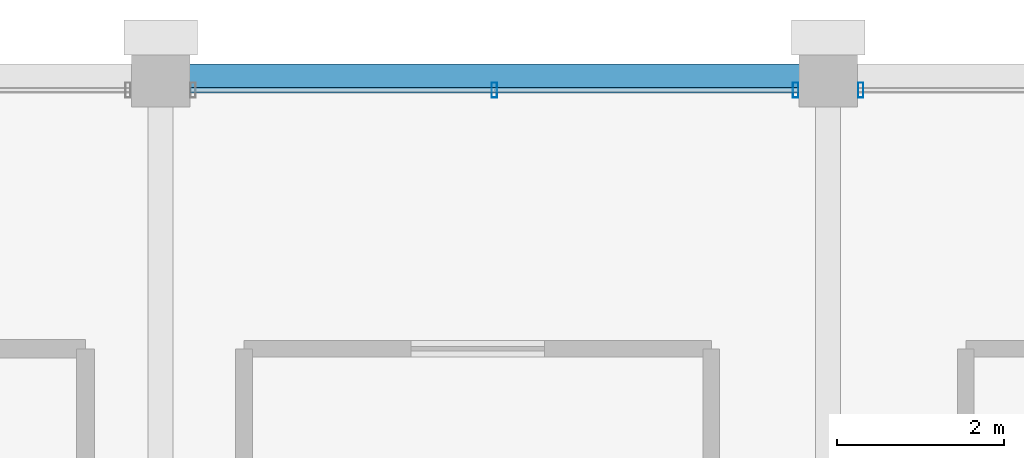
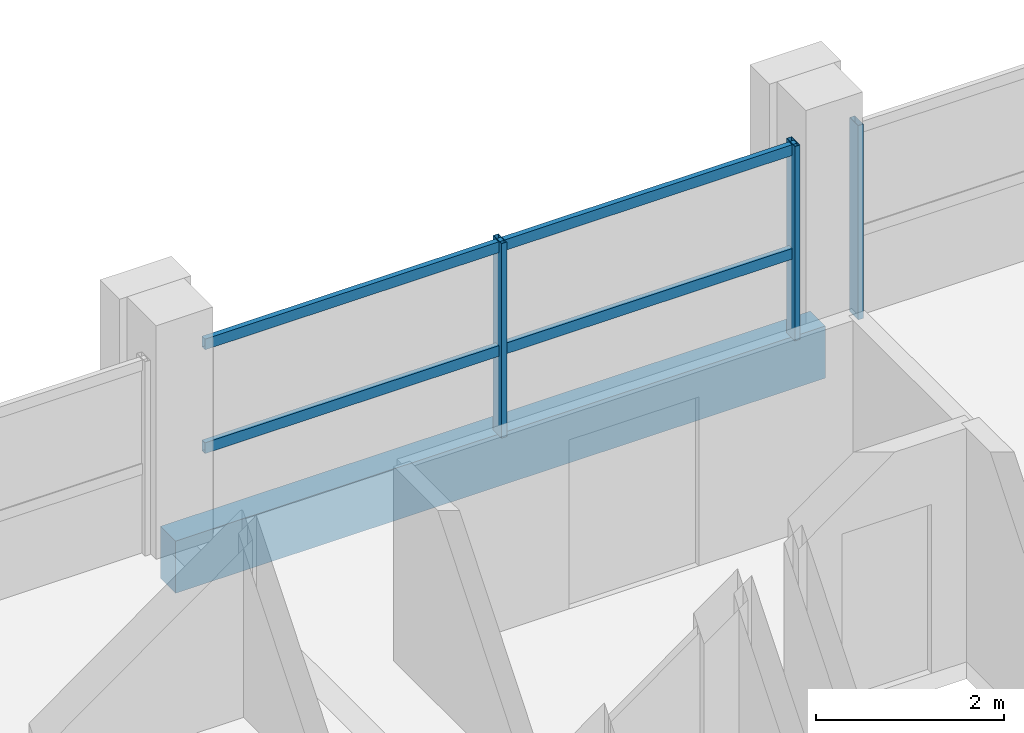
# One storey, part 16 of 24: 5 members, 1 beam, 2 elements without a shape of their own.
"""IFC4 building model written with IfcOpenShell, lengths in metres."""

from ifc_helpers import new_model, si_unit, direction, frame, origin, origin_2d, place, context, subcontext, project, spatial, rectangle, hollow_rectangle, extrude, material, material_profile, profile_set, type_object, element, aggregate, save


model = new_model("IFC4")

# Units and contexts
model_context = context("Model", 3, precision=1e-05, world=origin(), true_north=direction((0.0, 1.0)))
body_context = subcontext(model_context, "Body", "Model", "MODEL_VIEW")
ifc_project = project(units=[si_unit("LENGTHUNIT", "METRE"), si_unit("AREAUNIT", "SQUARE_METRE"), si_unit("VOLUMEUNIT", "CUBIC_METRE"), si_unit("PLANEANGLEUNIT", "RADIAN"), si_unit("MASSUNIT", "GRAM", prefix="KILO")], contexts=[model_context])

# Site, building, storey
site_placement = place(None, origin())
site = spatial("IfcSite", under=ifc_project, at=site_placement, CompositionType="ELEMENT")
building_placement = place(site_placement, origin())
building = spatial("IfcBuilding", under=site, at=building_placement, Name="Akrevak Sports Hall", CompositionType="ELEMENT")
storey_placement = place(building_placement, frame((0.0, 0.0, 56.800048828125)))
storey = spatial("IfcBuildingStorey", under=building, at=storey_placement, Name="L14", CompositionType="ELEMENT", Elevation=56.800048828125)

# Curtain wall, member
ifc_material_1 = material(Name="Anodized Bronze Aluminium & Low-E Glass", Category="aluminium")
curtain_wall_type = type_object("IfcCurtainWallType", Name="ARC-CW-TWR-64x30", PredefinedType="NOTDEFINED", material=ifc_material_1)
curtain_wall_1_placement = place(storey_placement, origin())
curtain_wall_1 = element("IfcCurtainWall", 1, at=curtain_wall_1_placement, inside=storey, type_object=curtain_wall_type, Name="Curtain Wall CW-L14-N20", PredefinedType="NOTDEFINED")
ifc_material_2 = material(Name="Anodized Bronze Aluminium", Category="aluminium")
ifc_material_profile_1 = material_profile(ifc_material_2, hollow_rectangle(XDim=0.06494140625, YDim=0.179931640625, WallThickness=0.00390625, at=origin_2d()), Name="CWM 65x180", Category="aluminium")
ifc_profile_set_1 = profile_set([ifc_material_profile_1], Name="Anodized Bronze Aluminium")
member_type_1 = type_object("IfcMemberType", Name="ARC-CWM-65x140", PredefinedType="MULLION", material=ifc_profile_set_1)
member_1_placement = place(storey_placement, frame((76.389892578125, 69.449951171875, 0.0), z_axis=(0.0, 0.0, 1.0), x_axis=(-1.0, 0.0, 0.0)))
member_1 = element("IfcMember", 2, at=member_1_placement, type_object=member_type_1, Name="Curtain Wall Mullion CW-L14-N20-M3", PredefinedType="MULLION", context=body_context, shape_type="SweptSolid", body=[
    extrude(hollow_rectangle(XDim=0.06494140625, YDim=0.179931640625, WallThickness=0.00390625, at=origin_2d()), origin(), (0.0, 0.0, 1.0), 2.530029296875),
])
aggregate(curtain_wall_1, [member_1])

# Curtain wall, members
curtain_wall_2_placement = place(storey_placement, origin())
curtain_wall_2 = element("IfcCurtainWall", 3, at=curtain_wall_2_placement, inside=storey, type_object=curtain_wall_type, Name="Curtain Wall CW-L14-N21", PredefinedType="NOTDEFINED")
member_2_placement = place(storey_placement, frame((75.610107421875, 69.449951171875, 0.0), z_axis=(0.0, 0.0, 1.0), x_axis=(-1.0, 0.0, 0.0)))
member_2 = element("IfcMember", 4, at=member_2_placement, type_object=member_type_1, Name="Curtain Wall Mullion CW-L14-N21-M1", PredefinedType="MULLION", context=body_context, shape_type="SweptSolid", body=[
    extrude(hollow_rectangle(XDim=0.06494140625, YDim=0.179931640625, WallThickness=0.00390625, at=origin_2d()), origin(), (0.0, 0.0, 1.0), 2.530029296875),
])
member_3_placement = place(storey_placement, frame((72.0, 69.449951171875, 0.0), z_axis=(0.0, 0.0, 1.0), x_axis=(-1.0, 0.0, 0.0)))
member_3 = element("IfcMember", 5, at=member_3_placement, type_object=member_type_1, Name="Curtain Wall Mullion CW-L14-N21-M2", PredefinedType="MULLION", context=body_context, shape_type="SweptSolid", body=[
    extrude(hollow_rectangle(XDim=0.06494140625, YDim=0.179931640625, WallThickness=0.00390625, at=origin_2d()), origin(), (0.0, 0.0, 1.0), 2.530029296875),
])
ifc_material_profile_2 = material_profile(ifc_material_2, hollow_rectangle(XDim=0.06494140625, YDim=0.139892578125, WallThickness=0.00390625, at=origin_2d()), Name="CWT 65x140", Category="aluminium")
ifc_profile_set_2 = profile_set([ifc_material_profile_2], Name="Anodized Bronze Aluminium")
member_type_2 = type_object("IfcMemberType", Name="ARC-CWT-65x110", PredefinedType="USERDEFINED", material=ifc_profile_set_2)
member_4_placement = place(storey_placement, frame((75.64990234375, 69.449951171875, 1.099853515625), z_axis=(-1.0, 0.0, 0.0), x_axis=(0.0, -1.0, 0.0)))
member_4 = element("IfcMember", 6, at=member_4_placement, type_object=member_type_2, Name="Curtain Wall Transom CW-L14-N21-T1", ObjectType="TRANSOM", PredefinedType="USERDEFINED", context=body_context, shape_type="SweptSolid", body=[
    extrude(hollow_rectangle(XDim=0.06494140625, YDim=0.139892578125, WallThickness=0.00390625, at=origin_2d()), origin(), (0.0, 0.0, 1.0), 7.2998046875),
])
member_5_placement = place(storey_placement, frame((75.64990234375, 69.449951171875, 2.449951171875), z_axis=(-1.0, 0.0, 0.0), x_axis=(0.0, -1.0, 0.0)))
member_5 = element("IfcMember", 7, at=member_5_placement, type_object=member_type_2, Name="Curtain Wall Transom CW-L14-N21-T2", ObjectType="TRANSOM", PredefinedType="USERDEFINED", context=body_context, shape_type="SweptSolid", body=[
    extrude(hollow_rectangle(XDim=0.06494140625, YDim=0.139892578125, WallThickness=0.00390625, at=origin_2d()), origin(), (0.0, 0.0, 1.0), 7.2998046875),
])
aggregate(curtain_wall_2, [member_2, member_3, member_4, member_5])

# Beam
ifc_material_3 = material(Name="Concrete C40/50", Category="concrete")
ifc_material_profile_3 = material_profile(ifc_material_3, rectangle(XDim=0.320068359375, YDim=0.679931640625, at=origin_2d()), Name="SPD 320x680", Category="concrete")
ifc_profile_set_3 = profile_set([ifc_material_profile_3], Name="Concrete C40/50")
beam_type = type_object("IfcBeamType", Name="STR-SPD-RC320x680", PredefinedType="SPANDREL", material=ifc_profile_set_3)
beam_placement = place(storey_placement, frame((68.0, 69.60009765625, -0.340087890625), z_axis=(1.0, 0.0, 0.0), x_axis=(0.0, 1.0, 0.0)))
element("IfcBeam", 8, at=beam_placement, inside=storey, type_object=beam_type, Name="Girder K/10-11 (L14)", PredefinedType="SPANDREL", context=body_context, shape_type="SweptSolid", body=[
    extrude(rectangle(XDim=0.320068359375, YDim=0.679931640625, at=origin_2d()), origin(), (0.0, 0.0, 1.0), 8.0),
])

save(model, "model.ifc")
